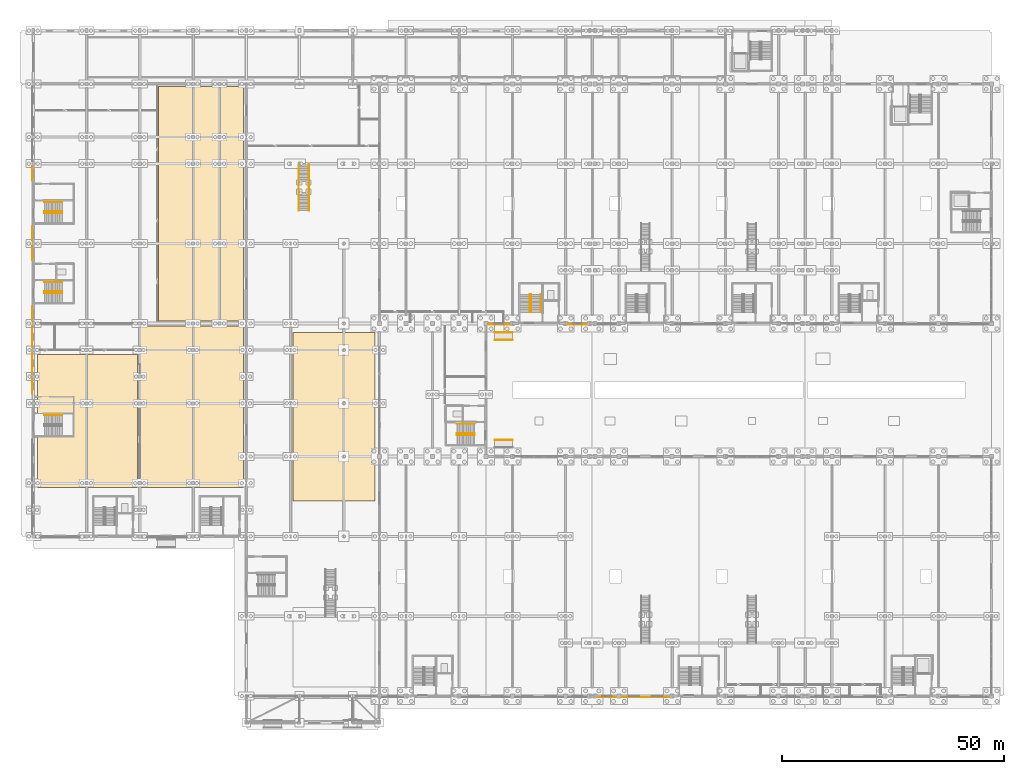
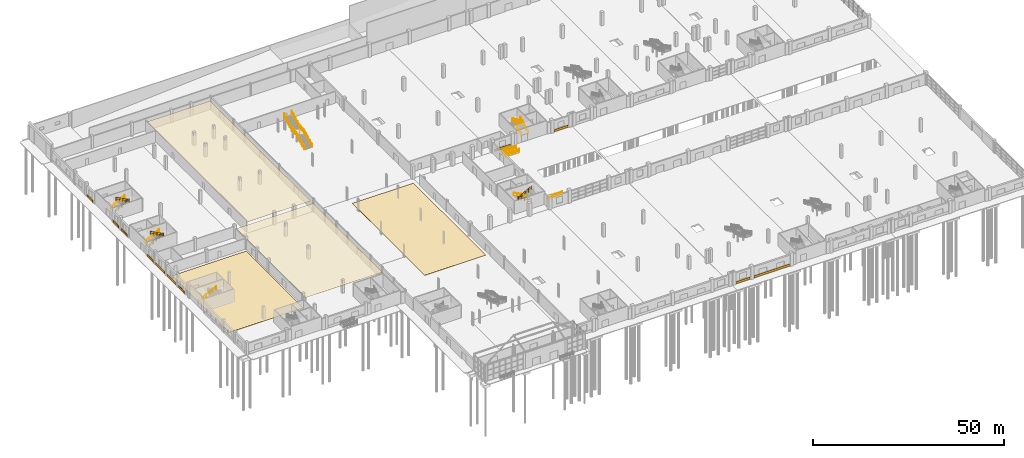
# One storey, part 73 of 77: 15 coverings, 14 railings.
"""IFC4 building model written with IfcOpenShell, lengths in metres."""

from ifc_helpers import new_model, si_unit, direction, frame, origin, origin_2d, place, context, subcontext, project, spatial, polyline, rectangle, circle, outline, extrude, material, layer, layer_set, type_object, element, save


model = new_model("IFC4")

# Units and contexts
model_context = context("Model", 3, precision=1e-05, world=origin(), true_north=direction((0.0, 1.0)))
body_context = subcontext(model_context, "Body", "Model", "MODEL_VIEW")
ifc_project = project(units=[si_unit("LENGTHUNIT", "METRE"), si_unit("AREAUNIT", "SQUARE_METRE"), si_unit("VOLUMEUNIT", "CUBIC_METRE"), si_unit("PLANEANGLEUNIT", "RADIAN"), si_unit("MASSUNIT", "GRAM", prefix="KILO")], contexts=[model_context])

# Site, building, storey
site_placement = place(None, origin())
site = spatial("IfcSite", under=ifc_project, at=site_placement, CompositionType="ELEMENT")
building_placement = place(site_placement, origin())
building = spatial("IfcBuilding", under=site, at=building_placement, Name="Zilviju Railside Exhibition Hall", CompositionType="ELEMENT")
storey_placement = place(building_placement, origin())
storey = spatial("IfcBuildingStorey", under=building, at=storey_placement, Name="L01", CompositionType="ELEMENT", Elevation=0.0)

# Coverings
ifc_material_1 = material(Name="Perforated gypsum and mineral-wool acoustic ceiling", Category="masonry")
ifc_layer_1 = layer(ifc_material_1, 0.030029296875)
ifc_layer_set_1 = layer_set([ifc_layer_1], Name="Perforated gypsum and mineral-wool acoustic ceiling")
covering_type_1 = type_object("IfcCoveringType", Name="COV-CEIL-ACOUSTIC", PredefinedType="CEILING", material=ifc_layer_set_1)
covering_1_placement = place(storey_placement, frame((0.0, 0.0, 3.050048828125)))
element("IfcCovering", 1, at=covering_1_placement, inside=storey, type_object=covering_type_1, Name="Symposium Hall Acoustic Ceiling", PredefinedType="CEILING", context=body_context, shape_type="SweptSolid", body=[
    extrude(outline(polyline([(24.199951171875, 47.0), (47.39990234375, 47.0), (47.39990234375, 83.39990234375), (24.199951171875, 83.39990234375), (24.199951171875, 47.0)])), origin(), (0.0, 0.0, 1.0), 0.030029296875),
])
covering_2_placement = place(storey_placement, frame((0.0, 0.0, 3.050048828125)))
element("IfcCovering", 2, at=covering_2_placement, inside=storey, type_object=covering_type_1, Name="Press Centre Acoustic Ceiling", PredefinedType="CEILING", context=body_context, shape_type="SweptSolid", body=[
    extrude(outline(polyline([(28.199951171875, 84.60009765625), (47.39990234375, 84.60009765625), (47.39990234375, 137.39990234375), (28.199951171875, 137.39990234375), (28.199951171875, 84.60009765625)])), origin(), (0.0, 0.0, 1.0), 0.030029296875),
])
ifc_material_2 = material(Name="Rusticated Baltic granite plinth ashlar cladding", Category="masonry")
ifc_layer_2 = layer(ifc_material_2, 0.050048828125)
ifc_layer_set_2 = layer_set([ifc_layer_2], Name="Rusticated Baltic granite plinth ashlar cladding")
covering_type_2 = type_object("IfcCoveringType", Name="COV-CLAD-GRANITE", PredefinedType="CLADDING", material=ifc_layer_set_2)
covering_3_placement = place(storey_placement, frame((129.300048828125, -0.260009765625, 0.074951171875), z_axis=(0.0, 0.0, 1.0), x_axis=(-1.0, 0.0, 0.0)))
element("IfcCovering", 3, at=covering_3_placement, inside=storey, type_object=covering_type_2, Name="Jugendstils Facade Cladding Band L01 005", PredefinedType="CLADDING", context=body_context, shape_type="SweptSolid", body=[
    extrude(rectangle(XDim=4.199951171875, YDim=0.050048828125, at=origin_2d()), origin(), (0.0, 0.0, 1.0), 0.75),
])
covering_4_placement = place(storey_placement, frame((138.0, -0.260009765625, 0.074951171875), z_axis=(0.0, 0.0, 1.0), x_axis=(-1.0, 0.0, 0.0)))
element("IfcCovering", 4, at=covering_4_placement, inside=storey, type_object=covering_type_2, Name="Jugendstils Facade Cladding Band L01 006", PredefinedType="CLADDING", context=body_context, shape_type="SweptSolid", body=[
    extrude(rectangle(XDim=10.800048828125, YDim=0.050048828125, at=origin_2d()), origin(), (0.0, 0.0, 1.0), 0.75),
])
covering_5_placement = place(storey_placement, frame((105.0, 83.7548828125, 0.074951171875), z_axis=(0.0, 0.0, 1.0), x_axis=(-1.0, 0.0, 0.0)))
element("IfcCovering", 5, at=covering_5_placement, inside=storey, type_object=covering_type_2, Name="Jugendstils Facade Cladding Band L01 012", PredefinedType="CLADDING", context=body_context, shape_type="SweptSolid", body=[
    extrude(rectangle(XDim=4.800048828125, YDim=0.050048828125, at=origin_2d()), origin(), (0.0, 0.0, 1.0), 0.75),
])
covering_6_placement = place(storey_placement, frame((122.699951171875, 83.7548828125, 0.074951171875), z_axis=(0.0, 0.0, 1.0), x_axis=(-1.0, 0.0, 0.0)))
element("IfcCovering", 6, at=covering_6_placement, inside=storey, type_object=covering_type_2, Name="Jugendstils Facade Cladding Band L01 013", PredefinedType="CLADDING", context=body_context, shape_type="SweptSolid", body=[
    extrude(rectangle(XDim=4.199951171875, YDim=0.050048828125, at=origin_2d()), origin(), (0.0, 0.0, 1.0), 0.75),
])
covering_7_placement = place(storey_placement, frame((-0.2451171875, 69.800048828125, 0.074951171875), z_axis=(0.0, 0.0, 1.0), x_axis=(0.0, 1.0, 0.0)))
element("IfcCovering", 7, at=covering_7_placement, inside=storey, type_object=covering_type_2, Name="Jugendstils Facade Cladding Band L01 023", PredefinedType="CLADDING", context=body_context, shape_type="SweptSolid", body=[
    extrude(rectangle(XDim=3.199951171875, YDim=0.050048828125, at=origin_2d()), origin(), (0.0, 0.0, 1.0), 0.75),
])
for number, where, z_axis, x_axis, name in (
    (8, (-0.2451171875, 75.0, 0.074951171875), (0.0, 0.0, 1.0), (0.0, 1.0, 0.0), "Jugendstils Facade Cladding Band L01 024"),
    (9, (-0.2451171875, 81.0, 0.074951171875), (0.0, 0.0, 1.0), (0.0, 1.0, 0.0), "Jugendstils Facade Cladding Band L01 025"),
):
    element("IfcCovering", number, at=place(storey_placement, frame(where, z_axis=z_axis, x_axis=x_axis)), inside=storey, type_object=covering_type_2, Name=name, PredefinedType="CLADDING", context=body_context, shape_type="SweptSolid", body=[
        extrude(rectangle(XDim=4.800048828125, YDim=0.050048828125, at=origin_2d()), origin(), (0.0, 0.0, 1.0), 0.75),
    ])
for number, where, z_axis, x_axis, name in (
    (10, (-0.22998046875, 86.199951171875, 0.074951171875), (0.0, 0.0, 1.0), (0.0, 1.0, 0.0), "Jugendstils Facade Cladding Band L01 031"),
    (11, (-0.22998046875, 99.800048828125, 0.074951171875), (0.0, 0.0, 1.0), (0.0, 1.0, 0.0), "Jugendstils Facade Cladding Band L01 032"),
    (12, (-0.22998046875, 104.199951171875, 0.074951171875), (0.0, 0.0, 1.0), (0.0, 1.0, 0.0), "Jugendstils Facade Cladding Band L01 033"),
    (13, (-0.22998046875, 117.800048828125, 0.074951171875), (0.0, 0.0, 1.0), (0.0, 1.0, 0.0), "Jugendstils Facade Cladding Band L01 034"),
):
    element("IfcCovering", number, at=place(storey_placement, frame(where, z_axis=z_axis, x_axis=x_axis)), inside=storey, type_object=covering_type_2, Name=name, PredefinedType="CLADDING", context=body_context, shape_type="SweptSolid", body=[
        extrude(rectangle(XDim=3.199951171875, YDim=0.050048828125, at=origin_2d()), origin(), (0.0, 0.0, 1.0), 0.75),
    ])
ifc_material_3 = material(Name="Polished Baltic terrazzo concourse flooring", Category="masonry")
ifc_layer_3 = layer(ifc_material_3, 0.02490234375)
ifc_layer_set_3 = layer_set([ifc_layer_3], Name="Polished Baltic terrazzo concourse flooring")
covering_type_3 = type_object("IfcCoveringType", Name="COV-FLR-TERRAZZO", PredefinedType="FLOORING", material=ifc_layer_set_3)
covering_8_placement = place(storey_placement, origin())
element("IfcCovering", 14, at=covering_8_placement, inside=storey, type_object=covering_type_3, Name="Winter Concourse Central Terrazzo Flooring", PredefinedType="FLOORING", context=body_context, shape_type="SweptSolid", body=[
    extrude(outline(polyline([(58.5, 44.0), (77.0, 44.0), (77.0, 82.0), (58.5, 82.0), (58.5, 44.0)])), origin(), (0.0, 0.0, 1.0), 0.02490234375),
])
covering_9_placement = place(storey_placement, origin())
element("IfcCovering", 15, at=covering_9_placement, inside=storey, type_object=covering_type_3, Name="Congress Entrance Foyer Terrazzo Flooring", PredefinedType="FLOORING", context=body_context, shape_type="SweptSolid", body=[
    extrude(outline(polyline([(1.0, 47.0), (23.5, 47.0), (23.5, 77.0), (1.0, 77.0), (1.0, 47.0)])), origin(), (0.0, 0.0, 1.0), 0.02490234375),
])

# Railings
ifc_material_4 = material(Name="Ornamental wrought-iron Jugendstils gallery balustrade", Category="steel")
railing_type_1 = type_object("IfcRailingType", Name="RL-BALUSTRADE-1120", PredefinedType="BALUSTRADE", material=ifc_material_4)
railing_1_placement = place(storey_placement, frame((59.860107421875, 109.43994140625, 0.0)))
element("IfcRailing", 16, at=railing_1_placement, inside=storey, type_object=railing_type_1, Name="Feature Stair ST-18 Ornamental Balustrade L", PredefinedType="BALUSTRADE", context=body_context, shape_type="SweptSolid", body=[
    extrude(circle(Radius=0.02392578125, at=origin_2d()), frame((0.0, 0.019287109375, 1.106201171875), z_axis=(0.0, 0.88681272381, 0.462128978628), x_axis=(-1.0, 0.0, 0.0)), (0.0, 0.0, 1.0), 4.500732421875),
    extrude(circle(Radius=0.02392578125, at=origin_2d()), frame((0.0, 0.019287109375, 0.570068359375), z_axis=(0.0, 0.88681272381, 0.462128978628), x_axis=(-1.0, 0.0, 0.0)), (0.0, 0.0, 1.0), 4.500732421875),
    extrude(circle(Radius=0.02392578125, at=origin_2d()), frame((0.0, 4.0517578125, 3.1962890625), z_axis=(0.0, 1.0, 0.0), x_axis=(-1.0, 0.0, 0.0)), (0.0, 0.0, 1.0), 2.456298828125),
    extrude(circle(Radius=0.02392578125, at=origin_2d()), frame((0.0, 4.0517578125, 2.66015625), z_axis=(0.0, 1.0, 0.0), x_axis=(-1.0, 0.0, 0.0)), (0.0, 0.0, 1.0), 2.456298828125),
    extrude(circle(Radius=0.02392578125, at=origin_2d()), frame((0.0, 6.54931640625, 3.206298828125), z_axis=(0.0, 0.886834740388, 0.462086726969), x_axis=(-1.0, 0.0, 0.0)), (0.0, 0.0, 1.0), 4.500732421875),
    extrude(circle(Radius=0.02392578125, at=origin_2d()), frame((0.0, 6.54931640625, 2.670166015625), z_axis=(0.0, 0.886834740388, 0.462086726969), x_axis=(-1.0, 0.0, 0.0)), (0.0, 0.0, 1.0), 4.500732421875),
    extrude(circle(Radius=0.02099609375, at=origin_2d()), origin(), (0.0, 0.0, 1.0), 1.1201171875),
    extrude(circle(Radius=0.02099609375, at=origin_2d()), frame((0.0, 1.007568359375, 0.52490234375)), (0.0, 0.0, 1.0), 1.1201171875),
    extrude(circle(Radius=0.02099609375, at=origin_2d()), frame((0.0, 2.01513671875, 1.050048828125)), (0.0, 0.0, 1.0), 1.1201171875),
    extrude(circle(Radius=0.02099609375, at=origin_2d()), frame((0.0, 3.0224609375, 1.5751953125)), (0.0, 0.0, 1.0), 1.1201171875),
    extrude(circle(Radius=0.02099609375, at=origin_2d()), frame((0.0, 4.030029296875, 2.10009765625)), (0.0, 0.0, 1.0), 1.1201171875),
    extrude(circle(Radius=0.02099609375, at=origin_2d()), frame((0.0, 4.86328125, 2.10009765625)), (0.0, 0.0, 1.0), 1.1201171875),
    extrude(circle(Radius=0.02099609375, at=origin_2d()), frame((0.0, 5.69677734375, 2.10009765625)), (0.0, 0.0, 1.0), 1.1201171875),
    extrude(circle(Radius=0.02099609375, at=origin_2d()), frame((0.0, 6.530029296875, 2.10009765625)), (0.0, 0.0, 1.0), 1.1201171875),
    extrude(circle(Radius=0.02099609375, at=origin_2d()), frame((0.0, 7.53759765625, 2.625)), (0.0, 0.0, 1.0), 1.1201171875),
    extrude(circle(Radius=0.02099609375, at=origin_2d()), frame((0.0, 8.544921875, 3.14990234375)), (0.0, 0.0, 1.0), 1.1201171875),
    extrude(circle(Radius=0.02099609375, at=origin_2d()), frame((0.0, 9.552490234375, 3.675048828125)), (0.0, 0.0, 1.0), 1.1201171875),
    extrude(circle(Radius=0.02099609375, at=origin_2d()), frame((0.0, 10.56005859375, 4.199951171875)), (0.0, 0.0, 1.0), 1.1201171875),
])
railing_2_placement = place(storey_placement, frame((62.139892578125, 109.43994140625, 0.0)))
element("IfcRailing", 17, at=railing_2_placement, inside=storey, type_object=railing_type_1, Name="Feature Stair ST-18 Ornamental Balustrade R", PredefinedType="BALUSTRADE", context=body_context, shape_type="SweptSolid", body=[
    extrude(circle(Radius=0.02392578125, at=origin_2d()), frame((0.0, 0.019287109375, 1.106201171875), z_axis=(0.0, 0.88681272381, 0.462128978628), x_axis=(-1.0, 0.0, 0.0)), (0.0, 0.0, 1.0), 4.500732421875),
    extrude(circle(Radius=0.02392578125, at=origin_2d()), frame((0.0, 0.019287109375, 0.570068359375), z_axis=(0.0, 0.88681272381, 0.462128978628), x_axis=(-1.0, 0.0, 0.0)), (0.0, 0.0, 1.0), 4.500732421875),
    extrude(circle(Radius=0.02392578125, at=origin_2d()), frame((0.0, 4.0517578125, 3.1962890625), z_axis=(0.0, 1.0, 0.0), x_axis=(-1.0, 0.0, 0.0)), (0.0, 0.0, 1.0), 2.456298828125),
    extrude(circle(Radius=0.02392578125, at=origin_2d()), frame((0.0, 4.0517578125, 2.66015625), z_axis=(0.0, 1.0, 0.0), x_axis=(-1.0, 0.0, 0.0)), (0.0, 0.0, 1.0), 2.456298828125),
    extrude(circle(Radius=0.02392578125, at=origin_2d()), frame((0.0, 6.54931640625, 3.206298828125), z_axis=(0.0, 0.886834740388, 0.462086726969), x_axis=(-1.0, 0.0, 0.0)), (0.0, 0.0, 1.0), 4.500732421875),
    extrude(circle(Radius=0.02392578125, at=origin_2d()), frame((0.0, 6.54931640625, 2.670166015625), z_axis=(0.0, 0.886834740388, 0.462086726969), x_axis=(-1.0, 0.0, 0.0)), (0.0, 0.0, 1.0), 4.500732421875),
    extrude(circle(Radius=0.02099609375, at=origin_2d()), origin(), (0.0, 0.0, 1.0), 1.1201171875),
    extrude(circle(Radius=0.02099609375, at=origin_2d()), frame((0.0, 1.007568359375, 0.52490234375)), (0.0, 0.0, 1.0), 1.1201171875),
    extrude(circle(Radius=0.02099609375, at=origin_2d()), frame((0.0, 2.01513671875, 1.050048828125)), (0.0, 0.0, 1.0), 1.1201171875),
    extrude(circle(Radius=0.02099609375, at=origin_2d()), frame((0.0, 3.0224609375, 1.5751953125)), (0.0, 0.0, 1.0), 1.1201171875),
    extrude(circle(Radius=0.02099609375, at=origin_2d()), frame((0.0, 4.030029296875, 2.10009765625)), (0.0, 0.0, 1.0), 1.1201171875),
    extrude(circle(Radius=0.02099609375, at=origin_2d()), frame((0.0, 4.86328125, 2.10009765625)), (0.0, 0.0, 1.0), 1.1201171875),
    extrude(circle(Radius=0.02099609375, at=origin_2d()), frame((0.0, 5.69677734375, 2.10009765625)), (0.0, 0.0, 1.0), 1.1201171875),
    extrude(circle(Radius=0.02099609375, at=origin_2d()), frame((0.0, 6.530029296875, 2.10009765625)), (0.0, 0.0, 1.0), 1.1201171875),
    extrude(circle(Radius=0.02099609375, at=origin_2d()), frame((0.0, 7.53759765625, 2.625)), (0.0, 0.0, 1.0), 1.1201171875),
    extrude(circle(Radius=0.02099609375, at=origin_2d()), frame((0.0, 8.544921875, 3.14990234375)), (0.0, 0.0, 1.0), 1.1201171875),
    extrude(circle(Radius=0.02099609375, at=origin_2d()), frame((0.0, 9.552490234375, 3.675048828125)), (0.0, 0.0, 1.0), 1.1201171875),
    extrude(circle(Radius=0.02099609375, at=origin_2d()), frame((0.0, 10.56005859375, 4.199951171875)), (0.0, 0.0, 1.0), 1.1201171875),
])
ifc_material_5 = material(Name="Wrought-iron Jugendstils terrace guardrail", Category="steel")
railing_type_2 = type_object("IfcRailingType", Name="RL-GUARD-1120", PredefinedType="GUARDRAIL", material=ifc_material_5)
for number, where, name in (
    (18, (104.0, 57.739990234375, 0.0), "Garden Court South Accessible Ramp Guardrail R"),
    (19, (104.0, 80.260009765625, 0.0), "Garden Court North Accessible Ramp Guardrail L"),
    (20, (104.0, 81.93994140625, 0.0), "Garden Court North Accessible Ramp Guardrail R"),
):
    element("IfcRailing", number, at=place(storey_placement, frame(where)), inside=storey, type_object=railing_type_2, Name=name, PredefinedType="GUARDRAIL", context=body_context, shape_type="SweptSolid", body=[
        extrude(circle(Radius=0.02392578125, at=origin_2d()), frame((0.021728515625, 0.0, 1.096435546875), z_axis=(0.999887299221, 0.0, 0.015012956275), x_axis=(0.0, 1.0, 0.0)), (0.0, 0.0, 1.0), 3.956787109375),
        extrude(circle(Radius=0.02392578125, at=origin_2d()), frame((0.021728515625, 0.0, 0.560302734375), z_axis=(0.999887299221, 0.0, 0.015012956275), x_axis=(0.0, 1.0, 0.0)), (0.0, 0.0, 1.0), 3.956787109375),
        extrude(circle(Radius=0.02099609375, at=origin_2d()), origin(), (0.0, 0.0, 1.0), 1.1201171875),
        extrude(circle(Radius=0.02099609375, at=origin_2d()), frame((1.0, 0.0, 0.01513671875)), (0.0, 0.0, 1.0), 1.1201171875),
        extrude(circle(Radius=0.02099609375, at=origin_2d()), frame((2.0, 0.0, 0.030029296875)), (0.0, 0.0, 1.0), 1.1201171875),
        extrude(circle(Radius=0.02099609375, at=origin_2d()), frame((3.0, 0.0, 0.044921875)), (0.0, 0.0, 1.0), 1.1201171875),
        extrude(circle(Radius=0.02099609375, at=origin_2d()), frame((4.0, 0.0, 0.06005859375)), (0.0, 0.0, 1.0), 1.1201171875),
    ])
ifc_material_6 = material(Name="Brushed bronze tubular stair handrail", Category="steel")
railing_type_3 = type_object("IfcRailingType", Name="RL-HANDRAIL-920", PredefinedType="HANDRAIL", material=ifc_material_6)
railing_3_placement = place(storey_placement, frame((114.360107421875, 86.5, 0.0)))
element("IfcRailing", 21, at=railing_3_placement, inside=storey, type_object=railing_type_3, Name="Core C04 North Hall Court West Stair Wall Handrail L01", PredefinedType="HANDRAIL", context=body_context, shape_type="SweptSolid", body=[
    extrude(circle(Radius=0.02392578125, at=origin_2d()), frame((0.0, 0.019287109375, 0.906005859375), z_axis=(0.0, 0.88681272381, 0.462128978628), x_axis=(-1.0, 0.0, 0.0)), (0.0, 0.0, 1.0), 4.500732421875),
    extrude(circle(Radius=0.02099609375, at=origin_2d()), origin(), (0.0, 0.0, 1.0), 0.919921875),
    extrude(circle(Radius=0.02099609375, at=origin_2d()), frame((0.0, 1.007568359375, 0.52490234375)), (0.0, 0.0, 1.0), 0.919921875),
    extrude(circle(Radius=0.02099609375, at=origin_2d()), frame((0.0, 2.01513671875, 1.050048828125)), (0.0, 0.0, 1.0), 0.919921875),
    extrude(circle(Radius=0.02099609375, at=origin_2d()), frame((0.0, 3.0224609375, 1.5751953125)), (0.0, 0.0, 1.0), 0.919921875),
    extrude(circle(Radius=0.02099609375, at=origin_2d()), frame((0.0, 4.030029296875, 2.10009765625)), (0.0, 0.0, 1.0), 0.919921875),
])
railing_4_placement = place(storey_placement, frame((99.5, 61.360107421875, 0.0)))
element("IfcRailing", 22, at=railing_4_placement, inside=storey, type_object=railing_type_3, Name="Core C10 Winter Concourse Court Stair Wall Handrail L01", PredefinedType="HANDRAIL", context=body_context, shape_type="SweptSolid", body=[
    extrude(circle(Radius=0.02392578125, at=origin_2d()), frame((-0.019287109375, 0.0, 0.906005859375), z_axis=(-0.88681272381, 0.0, 0.462128978628), x_axis=(0.0, -1.0, 0.0)), (0.0, 0.0, 1.0), 4.500732421875),
    extrude(circle(Radius=0.02099609375, at=origin_2d()), origin(), (0.0, 0.0, 1.0), 0.919921875),
    extrude(circle(Radius=0.02099609375, at=origin_2d()), frame((-1.007568359375, 0.0, 0.52490234375)), (0.0, 0.0, 1.0), 0.919921875),
    extrude(circle(Radius=0.02099609375, at=origin_2d()), frame((-2.01513671875, 0.0, 1.050048828125)), (0.0, 0.0, 1.0), 0.919921875),
    extrude(circle(Radius=0.02099609375, at=origin_2d()), frame((-3.0224609375, 0.0, 1.5751953125)), (0.0, 0.0, 1.0), 0.919921875),
    extrude(circle(Radius=0.02099609375, at=origin_2d()), frame((-4.030029296875, 0.0, 2.10009765625)), (0.0, 0.0, 1.0), 0.919921875),
])
for number, where, name in (
    (23, (2.5, 63.35009765625, 0.0), "Core C14 Congress Plenary West Stair Wall Handrail L01"),
    (24, (2.5, 93.340087890625, 0.0), "Core C15 Organisers Wing South Stair Wall Handrail L01"),
    (25, (2.5, 111.360107421875, 0.0), "Core C16 Organisers Wing North Stair Wall Handrail L01"),
):
    element("IfcRailing", number, at=place(storey_placement, frame(where)), inside=storey, type_object=railing_type_3, Name=name, PredefinedType="HANDRAIL", context=body_context, shape_type="SweptSolid", body=[
        extrude(circle(Radius=0.02392578125, at=origin_2d()), frame((0.019287109375, 0.0, 0.906005859375), z_axis=(0.88681272381, 0.0, 0.462128978628), x_axis=(0.0, 1.0, 0.0)), (0.0, 0.0, 1.0), 4.500732421875),
        extrude(circle(Radius=0.02099609375, at=origin_2d()), origin(), (0.0, 0.0, 1.0), 0.919921875),
        extrude(circle(Radius=0.02099609375, at=origin_2d()), frame((1.007568359375, 0.0, 0.52490234375)), (0.0, 0.0, 1.0), 0.919921875),
        extrude(circle(Radius=0.02099609375, at=origin_2d()), frame((2.01513671875, 0.0, 1.050048828125)), (0.0, 0.0, 1.0), 0.919921875),
        extrude(circle(Radius=0.02099609375, at=origin_2d()), frame((3.0224609375, 0.0, 1.5751953125)), (0.0, 0.0, 1.0), 0.919921875),
        extrude(circle(Radius=0.02099609375, at=origin_2d()), frame((4.030029296875, 0.0, 2.10009765625)), (0.0, 0.0, 1.0), 0.919921875),
    ])
ifc_material_7 = material(Name="Wrought-iron and laminated-glass atrium guardrail", Category="glass")
railing_type_4 = type_object("IfcRailingType", Name="RL-INT-GUARD-1120", PredefinedType="GUARDRAIL", material=ifc_material_7)
railing_5_placement = place(storey_placement, frame((112.22998046875, 86.5, 0.0)))
element("IfcRailing", 26, at=railing_5_placement, inside=storey, type_object=railing_type_4, Name="Core C04 North Hall Court West Stair Well Guardrail L01", PredefinedType="GUARDRAIL", context=body_context, shape_type="SweptSolid", body=[
    extrude(circle(Radius=0.02392578125, at=origin_2d()), frame((0.0, 0.019287109375, 1.106201171875), z_axis=(0.0, 0.88681272381, 0.462128978628), x_axis=(-1.0, 0.0, 0.0)), (0.0, 0.0, 1.0), 4.500732421875),
    extrude(circle(Radius=0.02392578125, at=origin_2d()), frame((0.0, 0.019287109375, 0.570068359375), z_axis=(0.0, 0.88681272381, 0.462128978628), x_axis=(-1.0, 0.0, 0.0)), (0.0, 0.0, 1.0), 4.500732421875),
    extrude(circle(Radius=0.02392578125, at=origin_2d()), frame((-0.021728515625, 4.030029296875, 3.1962890625), z_axis=(-1.0, 0.0, 0.0), x_axis=(0.0, -1.0, 0.0)), (0.0, 0.0, 1.0), 0.316162109375),
    extrude(circle(Radius=0.02392578125, at=origin_2d()), frame((-0.021728515625, 4.030029296875, 2.66015625), z_axis=(-1.0, 0.0, 0.0), x_axis=(0.0, -1.0, 0.0)), (0.0, 0.0, 1.0), 0.316162109375),
    extrude(circle(Radius=0.02392578125, at=origin_2d()), frame((-0.35986328125, 4.0107421875, 3.206298828125), z_axis=(0.0, -0.886834740388, 0.462086726969), x_axis=(1.0, 0.0, 0.0)), (0.0, 0.0, 1.0), 4.500732421875),
    extrude(circle(Radius=0.02392578125, at=origin_2d()), frame((-0.35986328125, 4.0107421875, 2.670166015625), z_axis=(0.0, -0.886834740388, 0.462086726969), x_axis=(1.0, 0.0, 0.0)), (0.0, 0.0, 1.0), 4.500732421875),
    extrude(circle(Radius=0.02099609375, at=origin_2d()), origin(), (0.0, 0.0, 1.0), 1.1201171875),
    extrude(circle(Radius=0.02099609375, at=origin_2d()), frame((0.0, 1.007568359375, 0.52490234375)), (0.0, 0.0, 1.0), 1.1201171875),
    extrude(circle(Radius=0.02099609375, at=origin_2d()), frame((0.0, 2.01513671875, 1.050048828125)), (0.0, 0.0, 1.0), 1.1201171875),
    extrude(circle(Radius=0.02099609375, at=origin_2d()), frame((0.0, 3.0224609375, 1.5751953125)), (0.0, 0.0, 1.0), 1.1201171875),
    extrude(circle(Radius=0.02099609375, at=origin_2d()), frame((0.0, 4.030029296875, 2.10009765625)), (0.0, 0.0, 1.0), 1.1201171875),
    extrude(circle(Radius=0.02099609375, at=origin_2d()), frame((-0.35986328125, 4.030029296875, 2.10009765625)), (0.0, 0.0, 1.0), 1.1201171875),
    extrude(circle(Radius=0.02099609375, at=origin_2d()), frame((-0.35986328125, 3.0224609375, 2.625)), (0.0, 0.0, 1.0), 1.1201171875),
    extrude(circle(Radius=0.02099609375, at=origin_2d()), frame((-0.35986328125, 2.01513671875, 3.14990234375)), (0.0, 0.0, 1.0), 1.1201171875),
    extrude(circle(Radius=0.02099609375, at=origin_2d()), frame((-0.35986328125, 1.007568359375, 3.675048828125)), (0.0, 0.0, 1.0), 1.1201171875),
    extrude(circle(Radius=0.02099609375, at=origin_2d()), frame((-0.35986328125, 0.0, 4.199951171875)), (0.0, 0.0, 1.0), 1.1201171875),
])
railing_6_placement = place(storey_placement, frame((99.5, 59.22998046875, 0.0)))
element("IfcRailing", 27, at=railing_6_placement, inside=storey, type_object=railing_type_4, Name="Core C10 Winter Concourse Court Stair Well Guardrail L01", PredefinedType="GUARDRAIL", context=body_context, shape_type="SweptSolid", body=[
    extrude(circle(Radius=0.02392578125, at=origin_2d()), frame((-0.019287109375, 0.0, 1.106201171875), z_axis=(-0.88681272381, 0.0, 0.462128978628), x_axis=(0.0, -1.0, 0.0)), (0.0, 0.0, 1.0), 4.500732421875),
    extrude(circle(Radius=0.02392578125, at=origin_2d()), frame((-0.019287109375, 0.0, 0.570068359375), z_axis=(-0.88681272381, 0.0, 0.462128978628), x_axis=(0.0, -1.0, 0.0)), (0.0, 0.0, 1.0), 4.500732421875),
    extrude(circle(Radius=0.02392578125, at=origin_2d()), frame((-4.030029296875, -0.021728515625, 3.1962890625), z_axis=(0.0, -1.0, 0.0), x_axis=(1.0, 0.0, 0.0)), (0.0, 0.0, 1.0), 0.316162109375),
    extrude(circle(Radius=0.02392578125, at=origin_2d()), frame((-4.030029296875, -0.021728515625, 2.66015625), z_axis=(0.0, -1.0, 0.0), x_axis=(1.0, 0.0, 0.0)), (0.0, 0.0, 1.0), 0.316162109375),
    extrude(circle(Radius=0.02392578125, at=origin_2d()), frame((-4.0107421875, -0.35986328125, 3.206298828125), z_axis=(0.886834740388, 0.0, 0.462086726969), x_axis=(0.0, 1.0, 0.0)), (0.0, 0.0, 1.0), 4.500732421875),
    extrude(circle(Radius=0.02392578125, at=origin_2d()), frame((-4.0107421875, -0.35986328125, 2.670166015625), z_axis=(0.886834740388, 0.0, 0.462086726969), x_axis=(0.0, 1.0, 0.0)), (0.0, 0.0, 1.0), 4.500732421875),
    extrude(circle(Radius=0.02099609375, at=origin_2d()), origin(), (0.0, 0.0, 1.0), 1.1201171875),
    extrude(circle(Radius=0.02099609375, at=origin_2d()), frame((-1.007568359375, 0.0, 0.52490234375)), (0.0, 0.0, 1.0), 1.1201171875),
    extrude(circle(Radius=0.02099609375, at=origin_2d()), frame((-2.01513671875, 0.0, 1.050048828125)), (0.0, 0.0, 1.0), 1.1201171875),
    extrude(circle(Radius=0.02099609375, at=origin_2d()), frame((-3.0224609375, 0.0, 1.5751953125)), (0.0, 0.0, 1.0), 1.1201171875),
    extrude(circle(Radius=0.02099609375, at=origin_2d()), frame((-4.030029296875, 0.0, 2.10009765625)), (0.0, 0.0, 1.0), 1.1201171875),
    extrude(circle(Radius=0.02099609375, at=origin_2d()), frame((-4.030029296875, -0.35986328125, 2.10009765625)), (0.0, 0.0, 1.0), 1.1201171875),
    extrude(circle(Radius=0.02099609375, at=origin_2d()), frame((-3.0224609375, -0.35986328125, 2.625)), (0.0, 0.0, 1.0), 1.1201171875),
    extrude(circle(Radius=0.02099609375, at=origin_2d()), frame((-2.01513671875, -0.35986328125, 3.14990234375)), (0.0, 0.0, 1.0), 1.1201171875),
    extrude(circle(Radius=0.02099609375, at=origin_2d()), frame((-1.007568359375, -0.35986328125, 3.675048828125)), (0.0, 0.0, 1.0), 1.1201171875),
    extrude(circle(Radius=0.02099609375, at=origin_2d()), frame((0.0, -0.35986328125, 4.199951171875)), (0.0, 0.0, 1.0), 1.1201171875),
])
railing_7_placement = place(storey_placement, frame((2.5, 91.25, 0.0)))
element("IfcRailing", 28, at=railing_7_placement, inside=storey, type_object=railing_type_4, Name="Core C15 Organisers Wing South Stair Well Guardrail L01", PredefinedType="GUARDRAIL", context=body_context, shape_type="SweptSolid", body=[
    extrude(circle(Radius=0.02392578125, at=origin_2d()), frame((0.019287109375, 0.0, 1.106201171875), z_axis=(0.88681272381, 0.0, 0.462128978628), x_axis=(0.0, 1.0, 0.0)), (0.0, 0.0, 1.0), 4.500732421875),
    extrude(circle(Radius=0.02392578125, at=origin_2d()), frame((0.019287109375, 0.0, 0.570068359375), z_axis=(0.88681272381, 0.0, 0.462128978628), x_axis=(0.0, 1.0, 0.0)), (0.0, 0.0, 1.0), 4.500732421875),
    extrude(circle(Radius=0.02392578125, at=origin_2d()), frame((4.030029296875, -0.021728515625, 3.1962890625), z_axis=(0.0, -1.0, 0.0), x_axis=(1.0, 0.0, 0.0)), (0.0, 0.0, 1.0), 0.356201171875),
    extrude(circle(Radius=0.02392578125, at=origin_2d()), frame((4.030029296875, -0.021728515625, 2.66015625), z_axis=(0.0, -1.0, 0.0), x_axis=(1.0, 0.0, 0.0)), (0.0, 0.0, 1.0), 0.356201171875),
    extrude(circle(Radius=0.02392578125, at=origin_2d()), frame((4.0107421875, -0.39990234375, 3.206298828125), z_axis=(-0.886834740388, 0.0, 0.462086726969), x_axis=(0.0, -1.0, 0.0)), (0.0, 0.0, 1.0), 4.500732421875),
    extrude(circle(Radius=0.02392578125, at=origin_2d()), frame((4.0107421875, -0.39990234375, 2.670166015625), z_axis=(-0.886834740388, 0.0, 0.462086726969), x_axis=(0.0, -1.0, 0.0)), (0.0, 0.0, 1.0), 4.500732421875),
    extrude(circle(Radius=0.02099609375, at=origin_2d()), origin(), (0.0, 0.0, 1.0), 1.1201171875),
    extrude(circle(Radius=0.02099609375, at=origin_2d()), frame((1.007568359375, 0.0, 0.52490234375)), (0.0, 0.0, 1.0), 1.1201171875),
    extrude(circle(Radius=0.02099609375, at=origin_2d()), frame((2.01513671875, 0.0, 1.050048828125)), (0.0, 0.0, 1.0), 1.1201171875),
    extrude(circle(Radius=0.02099609375, at=origin_2d()), frame((3.0224609375, 0.0, 1.5751953125)), (0.0, 0.0, 1.0), 1.1201171875),
    extrude(circle(Radius=0.02099609375, at=origin_2d()), frame((4.030029296875, 0.0, 2.10009765625)), (0.0, 0.0, 1.0), 1.1201171875),
    extrude(circle(Radius=0.02099609375, at=origin_2d()), frame((4.030029296875, -0.39990234375, 2.10009765625)), (0.0, 0.0, 1.0), 1.1201171875),
    extrude(circle(Radius=0.02099609375, at=origin_2d()), frame((3.0224609375, -0.39990234375, 2.625)), (0.0, 0.0, 1.0), 1.1201171875),
    extrude(circle(Radius=0.02099609375, at=origin_2d()), frame((2.01513671875, -0.39990234375, 3.14990234375)), (0.0, 0.0, 1.0), 1.1201171875),
    extrude(circle(Radius=0.02099609375, at=origin_2d()), frame((1.007568359375, -0.39990234375, 3.675048828125)), (0.0, 0.0, 1.0), 1.1201171875),
    extrude(circle(Radius=0.02099609375, at=origin_2d()), frame((0.0, -0.39990234375, 4.199951171875)), (0.0, 0.0, 1.0), 1.1201171875),
])
railing_8_placement = place(storey_placement, frame((2.5, 109.22998046875, 0.0)))
element("IfcRailing", 29, at=railing_8_placement, inside=storey, type_object=railing_type_4, Name="Core C16 Organisers Wing North Stair Well Guardrail L01", PredefinedType="GUARDRAIL", context=body_context, shape_type="SweptSolid", body=[
    extrude(circle(Radius=0.02392578125, at=origin_2d()), frame((0.019287109375, 0.0, 1.106201171875), z_axis=(0.88681272381, 0.0, 0.462128978628), x_axis=(0.0, 1.0, 0.0)), (0.0, 0.0, 1.0), 4.500732421875),
    extrude(circle(Radius=0.02392578125, at=origin_2d()), frame((0.019287109375, 0.0, 0.570068359375), z_axis=(0.88681272381, 0.0, 0.462128978628), x_axis=(0.0, 1.0, 0.0)), (0.0, 0.0, 1.0), 4.500732421875),
    extrude(circle(Radius=0.02392578125, at=origin_2d()), frame((4.030029296875, -0.021728515625, 3.1962890625), z_axis=(0.0, -1.0, 0.0), x_axis=(1.0, 0.0, 0.0)), (0.0, 0.0, 1.0), 0.316162109375),
    extrude(circle(Radius=0.02392578125, at=origin_2d()), frame((4.030029296875, -0.021728515625, 2.66015625), z_axis=(0.0, -1.0, 0.0), x_axis=(1.0, 0.0, 0.0)), (0.0, 0.0, 1.0), 0.316162109375),
    extrude(circle(Radius=0.02392578125, at=origin_2d()), frame((4.0107421875, -0.35986328125, 3.206298828125), z_axis=(-0.886834740388, 0.0, 0.462086726969), x_axis=(0.0, -1.0, 0.0)), (0.0, 0.0, 1.0), 4.500732421875),
    extrude(circle(Radius=0.02392578125, at=origin_2d()), frame((4.0107421875, -0.35986328125, 2.670166015625), z_axis=(-0.886834740388, 0.0, 0.462086726969), x_axis=(0.0, -1.0, 0.0)), (0.0, 0.0, 1.0), 4.500732421875),
    extrude(circle(Radius=0.02099609375, at=origin_2d()), origin(), (0.0, 0.0, 1.0), 1.1201171875),
    extrude(circle(Radius=0.02099609375, at=origin_2d()), frame((1.007568359375, 0.0, 0.52490234375)), (0.0, 0.0, 1.0), 1.1201171875),
    extrude(circle(Radius=0.02099609375, at=origin_2d()), frame((2.01513671875, 0.0, 1.050048828125)), (0.0, 0.0, 1.0), 1.1201171875),
    extrude(circle(Radius=0.02099609375, at=origin_2d()), frame((3.0224609375, 0.0, 1.5751953125)), (0.0, 0.0, 1.0), 1.1201171875),
    extrude(circle(Radius=0.02099609375, at=origin_2d()), frame((4.030029296875, 0.0, 2.10009765625)), (0.0, 0.0, 1.0), 1.1201171875),
    extrude(circle(Radius=0.02099609375, at=origin_2d()), frame((4.030029296875, -0.35986328125, 2.10009765625)), (0.0, 0.0, 1.0), 1.1201171875),
    extrude(circle(Radius=0.02099609375, at=origin_2d()), frame((3.0224609375, -0.35986328125, 2.625)), (0.0, 0.0, 1.0), 1.1201171875),
    extrude(circle(Radius=0.02099609375, at=origin_2d()), frame((2.01513671875, -0.35986328125, 3.14990234375)), (0.0, 0.0, 1.0), 1.1201171875),
    extrude(circle(Radius=0.02099609375, at=origin_2d()), frame((1.007568359375, -0.35986328125, 3.675048828125)), (0.0, 0.0, 1.0), 1.1201171875),
    extrude(circle(Radius=0.02099609375, at=origin_2d()), frame((0.0, -0.35986328125, 4.199951171875)), (0.0, 0.0, 1.0), 1.1201171875),
])

save(model, "model.ifc")
